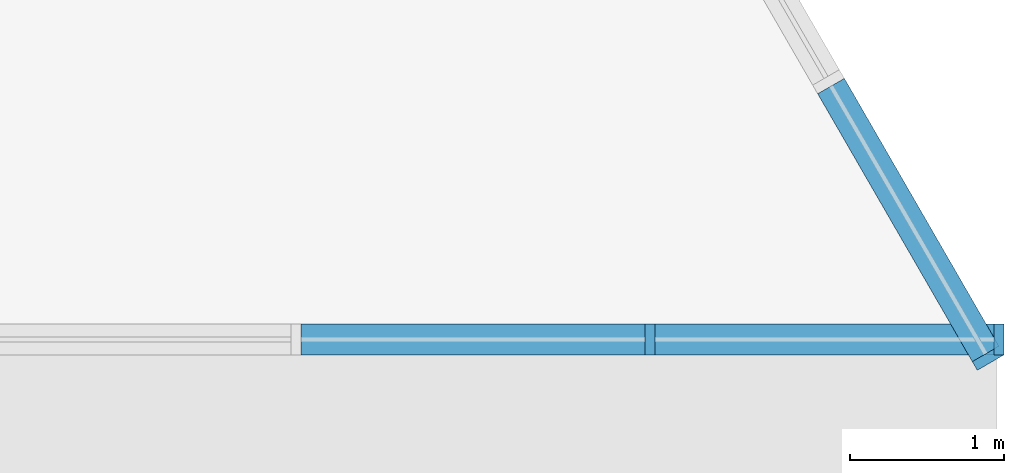
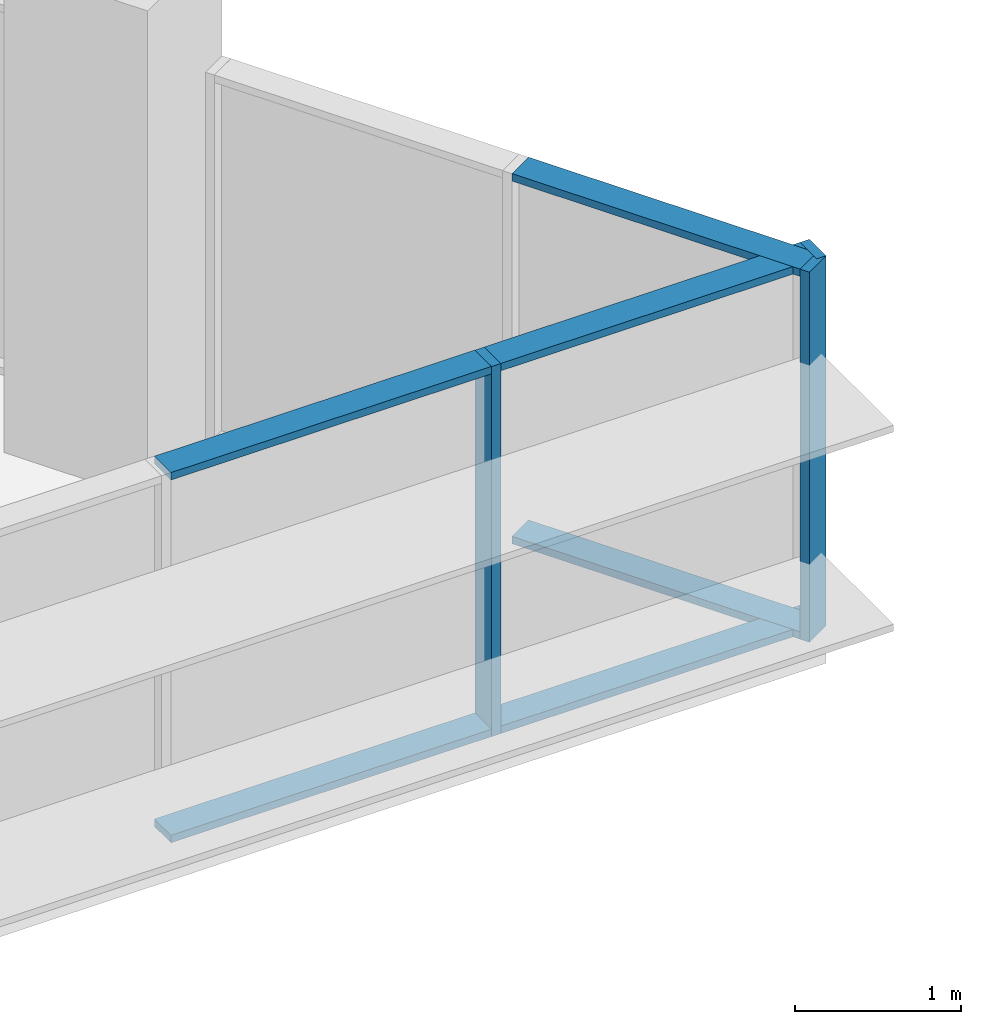
# One storey, part 4 of 13: 9 members, 2 elements without a shape of their own.
"""IFC4 building model written with IfcOpenShell, lengths in metres."""

from ifc_helpers import new_model, si_unit, direction, frame, origin, origin_2d, place, context, subcontext, project, spatial, rectangle, extrude, material, layer, layer_set, material_profile, profile_set, type_object, element, aggregate, save


model = new_model("IFC4")

# Units and contexts
model_context = context("Model", 3, precision=1e-05, world=origin(), true_north=direction((0.0, 1.0)))
body_context = subcontext(model_context, "Body", "Model", "MODEL_VIEW")
ifc_project = project(units=[si_unit("LENGTHUNIT", "METRE"), si_unit("AREAUNIT", "SQUARE_METRE"), si_unit("VOLUMEUNIT", "CUBIC_METRE"), si_unit("PLANEANGLEUNIT", "RADIAN"), si_unit("MASSUNIT", "GRAM", prefix="KILO")], contexts=[model_context])

# Site, building, storey
site_placement = place(None, origin())
site = spatial("IfcSite", under=ifc_project, at=site_placement, CompositionType="ELEMENT")
building_placement = place(site_placement, origin())
building = spatial("IfcBuilding", under=site, at=building_placement, Name="Nakaniwa Court", CompositionType="ELEMENT")
storey_placement = place(building_placement, frame((0.0, 0.0, 286.800048828125)))
storey = spatial("IfcBuildingStorey", under=building, at=storey_placement, Name="C05", CompositionType="ELEMENT", Elevation=286.800048828125)

# Curtain wall, members
ifc_material_1 = material(Name="Black anodised aluminium frame with dark low-E laminated double glazing", Category="aluminium")
ifc_layer = layer(ifc_material_1, 0.199951171875)
ifc_layer_set = layer_set([ifc_layer], Name="Black anodised aluminium frame with dark low-E laminated double glazing")
curtain_wall_type = type_object("IfcCurtainWallType", Name="Crown curtain wall", PredefinedType="NOTDEFINED", material=ifc_layer_set)
curtain_wall_1_placement = place(storey_placement, origin())
curtain_wall_1 = element("IfcCurtainWall", 1, at=curtain_wall_1_placement, inside=storey, type_object=curtain_wall_type, Name="C05 curtain wall CW4 17", PredefinedType="NOTDEFINED")
ifc_material_2 = material(Name="Black anodised aluminium extrusion", Category="aluminium")
ifc_material_profile_1 = material_profile(ifc_material_2, rectangle(XDim=0.199951171875, YDim=0.06494140625, at=origin_2d()), Name="Crown curtain wall mullion 65x200")
ifc_profile_set_1 = profile_set([ifc_material_profile_1], Name="Black anodised aluminium extrusion")
member_type_1 = type_object("IfcMemberType", Name="Crown curtain wall mullion 65x200", PredefinedType="MULLION", material=ifc_profile_set_1)
member_1_placement = place(storey_placement, frame((99.58447265625, 87.5, 0.0), z_axis=(0.0, 0.0, 1.0), x_axis=(0.0, 1.0, 0.0)))
member_1 = element("IfcMember", 2, at=member_1_placement, type_object=member_type_1, Name="CW4 mullion 5", PredefinedType="MULLION", context=body_context, shape_type="SweptSolid", body=[
    extrude(rectangle(XDim=0.199951171875, YDim=0.06494140625, at=origin_2d()), origin(), (0.0, 0.0, 1.0), 2.724853515625),
])
member_2_placement = place(storey_placement, frame((101.84912109375, 87.5, 0.0), z_axis=(0.0, 0.0, 1.0), x_axis=(0.0, 1.0, 0.0)))
member_2 = element("IfcMember", 3, at=member_2_placement, type_object=member_type_1, Name="CW4 mullion 6", PredefinedType="MULLION", context=body_context, shape_type="SweptSolid", body=[
    extrude(rectangle(XDim=0.199951171875, YDim=0.06494140625, at=origin_2d()), origin(), (0.0, 0.0, 1.0), 2.724853515625),
])

# Curtain wall, member
curtain_wall_2_placement = place(storey_placement, origin())
curtain_wall_2 = element("IfcCurtainWall", 4, at=curtain_wall_2_placement, inside=storey, type_object=curtain_wall_type, Name="C05 curtain wall CW4 18", PredefinedType="NOTDEFINED")
member_3_placement = place(storey_placement, frame((101.77880859375, 87.378173828125, 0.0), z_axis=(0.0, 0.0, 1.0), x_axis=(-0.866021000852, -0.500007626024, 0.0)))
member_3 = element("IfcMember", 5, at=member_3_placement, type_object=member_type_1, Name="CW4 mullion 1", PredefinedType="MULLION", context=body_context, shape_type="SweptSolid", body=[
    extrude(rectangle(XDim=0.199951171875, YDim=0.06494140625, at=origin_2d()), origin(), (0.0, 0.0, 1.0), 2.724853515625),
])

# Member
ifc_material_profile_2 = material_profile(ifc_material_2, rectangle(XDim=0.199951171875, YDim=0.054931640625, at=origin_2d()), Name="Crown curtain wall transom 55x200")
ifc_profile_set_2 = profile_set([ifc_material_profile_2], Name="Black anodised aluminium extrusion")
member_type_2 = type_object("IfcMemberType", Name="Crown curtain wall transom 55x200", PredefinedType="USERDEFINED", material=ifc_profile_set_2)
member_4_placement = place(storey_placement, frame((97.31982421875, 87.5, 0.02734375), z_axis=(1.0, 0.0, 0.0), x_axis=(0.0, 1.0, 0.0)))
member_4 = element("IfcMember", 6, at=member_4_placement, type_object=member_type_2, Name="CW4 transom 4.1", ObjectType="TRANSOM", PredefinedType="USERDEFINED", context=body_context, shape_type="SweptSolid", body=[
    extrude(rectangle(XDim=0.199951171875, YDim=0.054931640625, at=origin_2d()), origin(), (0.0, 0.0, 1.0), 2.232177734375),
])

member_5_placement = place(storey_placement, frame((97.31982421875, 87.5, 2.697509765625), z_axis=(1.0, 0.0, 0.0), x_axis=(0.0, 1.0, 0.0)))
member_5 = element("IfcMember", 7, at=member_5_placement, type_object=member_type_2, Name="CW4 transom 4.2", ObjectType="TRANSOM", PredefinedType="USERDEFINED", context=body_context, shape_type="SweptSolid", body=[
    extrude(rectangle(XDim=0.199951171875, YDim=0.054931640625, at=origin_2d()), origin(), (0.0, 0.0, 1.0), 2.232177734375),
])

member_6_placement = place(storey_placement, frame((99.616943359375, 87.5, 0.02734375), z_axis=(1.0, 0.0, 0.0), x_axis=(0.0, 1.0, 0.0)))
member_6 = element("IfcMember", 8, at=member_6_placement, type_object=member_type_2, Name="CW4 transom 5.1", ObjectType="TRANSOM", PredefinedType="USERDEFINED", context=body_context, shape_type="SweptSolid", body=[
    extrude(rectangle(XDim=0.199951171875, YDim=0.054931640625, at=origin_2d()), origin(), (0.0, 0.0, 1.0), 2.19970703125),
])

member_7_placement = place(storey_placement, frame((99.616943359375, 87.5, 2.697509765625), z_axis=(1.0, 0.0, 0.0), x_axis=(0.0, 1.0, 0.0)))
member_7 = element("IfcMember", 9, at=member_7_placement, type_object=member_type_2, Name="CW4 transom 5.2", ObjectType="TRANSOM", PredefinedType="USERDEFINED", context=body_context, shape_type="SweptSolid", body=[
    extrude(rectangle(XDim=0.199951171875, YDim=0.054931640625, at=origin_2d()), origin(), (0.0, 0.0, 1.0), 2.19970703125),
])

aggregate(curtain_wall_1, [member_1, member_2, member_4, member_5, member_6, member_7])

member_8_placement = place(storey_placement, frame((101.762451171875, 87.40625, 0.02734375), z_axis=(-0.499933044277, 0.866064057238, 0.0), x_axis=(-0.866064057238, -0.499933044277, 0.0)))
member_8 = element("IfcMember", 10, at=member_8_placement, type_object=member_type_2, Name="CW4 transom 1.1", ObjectType="TRANSOM", PredefinedType="USERDEFINED", context=body_context, shape_type="SweptSolid", body=[
    extrude(rectangle(XDim=0.199951171875, YDim=0.054931640625, at=origin_2d()), origin(), (0.0, 0.0, 1.0), 2.007080078125),
])

member_9_placement = place(storey_placement, frame((101.762451171875, 87.40625, 2.697509765625), z_axis=(-0.499933044277, 0.866064057238, 0.0), x_axis=(-0.866064057238, -0.499933044277, 0.0)))
member_9 = element("IfcMember", 11, at=member_9_placement, type_object=member_type_2, Name="CW4 transom 1.2", ObjectType="TRANSOM", PredefinedType="USERDEFINED", context=body_context, shape_type="SweptSolid", body=[
    extrude(rectangle(XDim=0.199951171875, YDim=0.054931640625, at=origin_2d()), origin(), (0.0, 0.0, 1.0), 2.007080078125),
])

aggregate(curtain_wall_2, [member_3, member_8, member_9])

save(model, "model.ifc")
